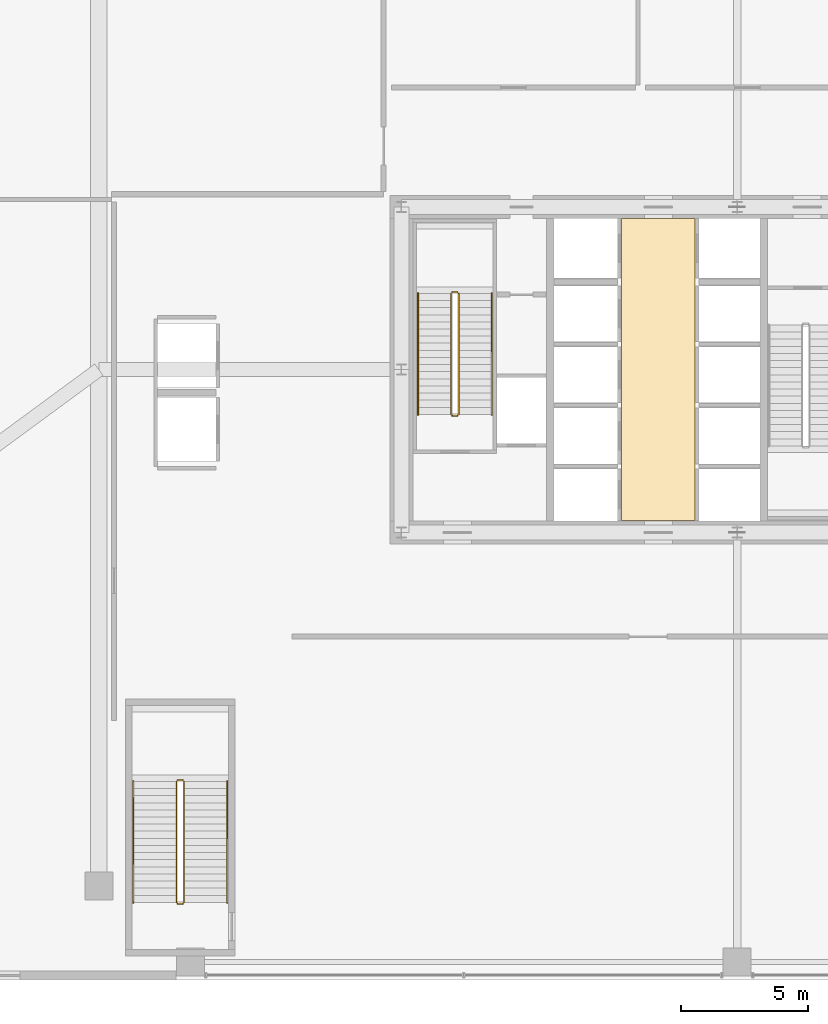
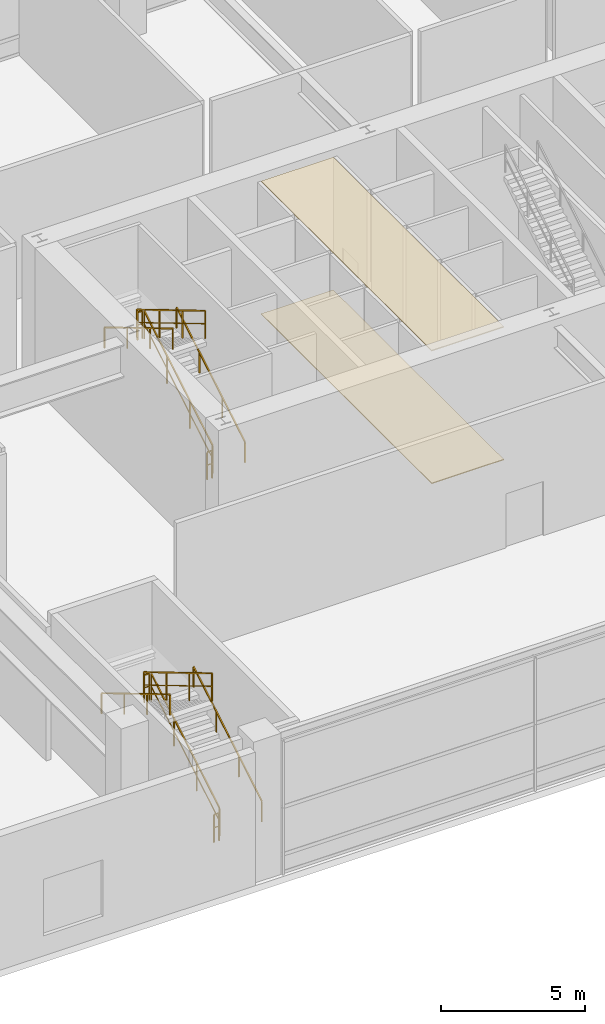
# One storey, part 38 of 39: 12 railings, 2 coverings.
"""IFC4 building model written with IfcOpenShell, lengths in metres."""

from ifc_helpers import new_model, si_unit, direction, frame, origin, origin_2d, place, context, subcontext, project, spatial, polyline, rectangle, outline, extrude, source, transform, mapped, material, layer, layer_set, type_object, element, save


model = new_model("IFC4")

# Units and contexts
model_context = context("Model", 3, precision=1e-05, world=origin(), true_north=direction((0.0, 1.0)))
body_context = subcontext(model_context, "Body", "Model", "MODEL_VIEW")
ifc_project = project(units=[si_unit("LENGTHUNIT", "METRE"), si_unit("AREAUNIT", "SQUARE_METRE"), si_unit("VOLUMEUNIT", "CUBIC_METRE"), si_unit("PLANEANGLEUNIT", "RADIAN"), si_unit("MASSUNIT", "GRAM", prefix="KILO"), si_unit("THERMODYNAMICTEMPERATUREUNIT", "KELVIN"), si_unit("POWERUNIT", "WATT")], contexts=[model_context])

# Site, building, storey
site_placement = place(None, origin())
site = spatial("IfcSite", under=ifc_project, at=site_placement, CompositionType="ELEMENT")
building_placement = place(site_placement, origin())
building = spatial("IfcBuilding", under=site, at=building_placement, Name="Yuzanri Waterfront Tower", CompositionType="ELEMENT")
storey_placement = place(building_placement, frame((0.0, 0.0, 19.800048828125)))
storey = spatial("IfcBuildingStorey", under=building, at=storey_placement, Name="L05", CompositionType="ELEMENT", Elevation=19.800048828125)

# Coverings
ifc_material_1 = material(Name="Anodized Architectural Bronze", Category="metal")
ifc_layer_1 = layer(ifc_material_1, 0.0400390625)
ifc_layer_set_1 = layer_set([ifc_layer_1], Name="Anodized Architectural Bronze")
covering_type_1 = type_object("IfcCoveringType", Name="Anodized Bronze Linear Baffle Lobby Ceiling 40", PredefinedType="CEILING", material=ifc_layer_set_1)
covering_1_placement = place(storey_placement, frame((0.0, 0.0, 5.639892578125)))
element("IfcCovering", 1, at=covering_1_placement, inside=storey, type_object=covering_type_1, Name="L05 Lift Lobby Bronze Baffle Ceiling", PredefinedType="CEILING", context=body_context, shape_type="SweptSolid", body=[
    extrude(outline(polyline([(32.449951171875, 19.860107421875), (35.35009765625, 19.860107421875), (35.35009765625, 31.739990234375), (32.449951171875, 31.739990234375), (32.449951171875, 19.860107421875)])), origin(), (0.0, 0.0, 1.0), 0.0400390625),
])
ifc_material_2 = material(Name="Honed Cream Limestone", Category="masonry")
ifc_layer_2 = layer(ifc_material_2, 0.034912109375)
ifc_layer_set_2 = layer_set([ifc_layer_2], Name="Honed Cream Limestone")
covering_type_2 = type_object("IfcCoveringType", Name="Honed Limestone Lobby Floor Finish 35", PredefinedType="FLOORING", material=ifc_layer_set_2)
covering_2_placement = place(storey_placement, origin())
element("IfcCovering", 2, at=covering_2_placement, inside=storey, type_object=covering_type_2, Name="L05 Lift Lobby Limestone Floor Finish", PredefinedType="FLOORING", context=body_context, shape_type="SweptSolid", body=[
    extrude(outline(polyline([(32.449951171875, 19.860107421875), (35.35009765625, 19.860107421875), (35.35009765625, 31.739990234375), (32.449951171875, 31.739990234375), (32.449951171875, 19.860107421875)])), origin(), (0.0, 0.0, 1.0), 0.034912109375),
])

# Railings
ifc_material_3 = material(Name="Painted Galvanized Fire Steel", Category="steel")
ifc_layer_3 = layer(ifc_material_3, 0.06005859375)
ifc_layer_set_3 = layer_set([ifc_layer_3], Name="Painted Galvanized Fire Steel")
railing_type_1 = type_object("IfcRailingType", Name="Painted Steel Stairwell Guardrail 1120", PredefinedType="GUARDRAIL", material=ifc_layer_set_3)
shared_shape_1 = source(origin(), body_context, "Body", "SweptSolid", [
    extrude(rectangle(XDim=0.050048828125, YDim=0.050048828125, at=origin_2d()), frame((0.0, 0.0, 1.1748046875), z_axis=(-1.0, 0.0, 0.0), x_axis=(0.0, -1.0, 0.0)), (0.0, 0.0, 1.0), 0.199951171875),
    extrude(rectangle(XDim=0.035888671875, YDim=0.030029296875, at=origin_2d()), frame((0.0, 0.0, 0.6240234375), z_axis=(-1.0, 0.0, 0.0), x_axis=(0.0, -1.0, 0.0)), (0.0, 0.0, 1.0), 0.199951171875),
    extrude(rectangle(XDim=0.0458984375, YDim=0.0458984375, at=origin_2d()), origin(), (0.0, 0.0, 1.0), 1.14990234375),
    extrude(rectangle(XDim=0.0458984375, YDim=0.0458984375, at=origin_2d()), frame((-0.199951171875, 0.0, 0.0)), (0.0, 0.0, 1.0), 1.14990234375),
])
for number, where, name in (
    (3, (26.0, 28.85009765625, 3.0), "L05 ST-01 stair guard 2"),
    (4, (26.0, 23.989990234375, 0.0), "L05 ST-01 stair guard 4"),
    (5, (15.199951171875, 9.659912109375, 3.0), "L05 PST-01 stair guard 2"),
    (6, (15.199951171875, 4.800048828125, 0.0), "L05 PST-01 stair guard 4"),
):
    element("IfcRailing", number, at=place(storey_placement, frame(where)), inside=storey, type_object=railing_type_1, Name=name, PredefinedType="GUARDRAIL", context=body_context, shape_type="MappedRepresentation", body=[
        mapped(shared_shape_1, transform((0.0, 0.0, 0.0), scale=1.0)),
    ])
shared_shape_2 = source(origin(), body_context, "Body", "SweptSolid", [
    extrude(rectangle(XDim=0.050048828125, YDim=0.050048828125, at=origin_2d()), frame((0.0, 0.0, 1.1748046875), z_axis=(0.0, 0.859280431707, 0.51150477973), x_axis=(-1.0, 0.0, 0.0)), (0.0, 0.0, 1.0), 5.53955078125),
    extrude(rectangle(XDim=0.035888671875, YDim=0.030029296875, at=origin_2d()), frame((0.0, 0.0, 0.6240234375), z_axis=(0.0, 0.859280431707, 0.51150477973), x_axis=(-1.0, 0.0, 0.0)), (0.0, 0.0, 1.0), 5.53955078125),
    extrude(rectangle(XDim=0.0458984375, YDim=0.0458984375, at=origin_2d()), origin(), (0.0, 0.0, 1.0), 1.14990234375),
    extrude(rectangle(XDim=0.0458984375, YDim=0.0458984375, at=origin_2d()), frame((0.0, 1.586669921875, 0.944580078125)), (0.0, 0.0, 1.0), 1.14990234375),
    extrude(rectangle(XDim=0.0458984375, YDim=0.0458984375, at=origin_2d()), frame((0.0, 3.17333984375, 1.888916015625)), (0.0, 0.0, 1.0), 1.14990234375),
    extrude(rectangle(XDim=0.0458984375, YDim=0.0458984375, at=origin_2d()), frame((0.0, 4.760009765625, 2.83349609375)), (0.0, 0.0, 1.0), 1.14990234375),
])
for number, where, name in (
    (7, (26.050048828125, 24.0400390625, 0.16650390625), "L05 ST-01 stair guard 1"),
    (8, (15.25, 4.85009765625, 0.16650390625), "L05 PST-01 stair guard 1"),
):
    element("IfcRailing", number, at=place(storey_placement, frame(where)), inside=storey, type_object=railing_type_1, Name=name, PredefinedType="GUARDRAIL", context=body_context, shape_type="MappedRepresentation", body=[
        mapped(shared_shape_2, transform((0.0, 0.0, 0.0), scale=1.0)),
    ])
shared_shape_3 = source(origin(), body_context, "Body", "SweptSolid", [
    extrude(rectangle(XDim=0.050048828125, YDim=0.050048828125, at=origin_2d()), frame((0.0, 0.0, 1.1748046875), z_axis=(0.0, -0.859280431707, 0.51150477973), x_axis=(1.0, 0.0, 0.0)), (0.0, 0.0, 1.0), 5.53955078125),
    extrude(rectangle(XDim=0.035888671875, YDim=0.030029296875, at=origin_2d()), frame((0.0, 0.0, 0.6240234375), z_axis=(0.0, -0.859280431707, 0.51150477973), x_axis=(1.0, 0.0, 0.0)), (0.0, 0.0, 1.0), 5.53955078125),
    extrude(rectangle(XDim=0.0458984375, YDim=0.0458984375, at=origin_2d()), origin(), (0.0, 0.0, 1.0), 1.14990234375),
    extrude(rectangle(XDim=0.0458984375, YDim=0.0458984375, at=origin_2d()), frame((0.0, -1.586669921875, 0.944580078125)), (0.0, 0.0, 1.0), 1.14990234375),
    extrude(rectangle(XDim=0.0458984375, YDim=0.0458984375, at=origin_2d()), frame((0.0, -3.17333984375, 1.888916015625)), (0.0, 0.0, 1.0), 1.14990234375),
    extrude(rectangle(XDim=0.0458984375, YDim=0.0458984375, at=origin_2d()), frame((0.0, -4.760009765625, 2.83349609375)), (0.0, 0.0, 1.0), 1.14990234375),
])
for number, where, name in (
    (9, (25.75, 28.800048828125, 3.16650390625), "L05 ST-01 stair guard 3"),
    (10, (14.949951171875, 9.610107421875, 3.16650390625), "L05 PST-01 stair guard 3"),
):
    element("IfcRailing", number, at=place(storey_placement, frame(where)), inside=storey, type_object=railing_type_1, Name=name, PredefinedType="GUARDRAIL", context=body_context, shape_type="MappedRepresentation", body=[
        mapped(shared_shape_3, transform((0.0, 0.0, 0.0), scale=1.0)),
    ])
ifc_material_4 = material(Name="Anodized Architectural Bronze", Category="metal")
ifc_layer_4 = layer(ifc_material_4, 0.050048828125)
ifc_layer_set_4 = layer_set([ifc_layer_4], Name="Anodized Architectural Bronze")
railing_type_2 = type_object("IfcRailingType", Name="Brushed Bronze Stair Pitch Handrail 920", PredefinedType="HANDRAIL", material=ifc_layer_set_4)
shared_shape_4 = source(origin(), body_context, "Body", "SweptSolid", [
    extrude(rectangle(XDim=0.050048828125, YDim=0.050048828125, at=origin_2d()), frame((0.0, 0.0, 0.875), z_axis=(0.0, 0.859280431707, 0.51150477973), x_axis=(-1.0, 0.0, 0.0)), (0.0, 0.0, 1.0), 5.53955078125),
    extrude(rectangle(XDim=0.0458984375, YDim=0.0458984375, at=origin_2d()), origin(), (0.0, 0.0, 1.0), 0.849853515625),
    extrude(rectangle(XDim=0.0458984375, YDim=0.0458984375, at=origin_2d()), frame((0.0, 1.586669921875, 0.944580078125)), (0.0, 0.0, 1.0), 0.849853515625),
    extrude(rectangle(XDim=0.0458984375, YDim=0.0458984375, at=origin_2d()), frame((0.0, 3.17333984375, 1.888916015625)), (0.0, 0.0, 1.0), 0.849853515625),
    extrude(rectangle(XDim=0.0458984375, YDim=0.0458984375, at=origin_2d()), frame((0.0, 4.760009765625, 2.83349609375)), (0.0, 0.0, 1.0), 0.849853515625),
])
for number, where, name in (
    (11, (27.35009765625, 24.0400390625, 0.16650390625), "L05 ST-01 stair handrail 1"),
    (12, (16.949951171875, 4.85009765625, 0.16650390625), "L05 PST-01 stair handrail 1"),
):
    element("IfcRailing", number, at=place(storey_placement, frame(where)), inside=storey, type_object=railing_type_2, Name=name, PredefinedType="HANDRAIL", context=body_context, shape_type="MappedRepresentation", body=[
        mapped(shared_shape_4, transform((0.0, 0.0, 0.0), scale=1.0)),
    ])
shared_shape_5 = source(origin(), body_context, "Body", "SweptSolid", [
    extrude(rectangle(XDim=0.050048828125, YDim=0.050048828125, at=origin_2d()), frame((0.0, 0.0, 0.875), z_axis=(0.0, -0.859280431707, 0.51150477973), x_axis=(1.0, 0.0, 0.0)), (0.0, 0.0, 1.0), 5.53955078125),
    extrude(rectangle(XDim=0.0458984375, YDim=0.0458984375, at=origin_2d()), origin(), (0.0, 0.0, 1.0), 0.849853515625),
    extrude(rectangle(XDim=0.0458984375, YDim=0.0458984375, at=origin_2d()), frame((0.0, -1.586669921875, 0.944580078125)), (0.0, 0.0, 1.0), 0.849853515625),
    extrude(rectangle(XDim=0.0458984375, YDim=0.0458984375, at=origin_2d()), frame((0.0, -3.17333984375, 1.888916015625)), (0.0, 0.0, 1.0), 0.849853515625),
    extrude(rectangle(XDim=0.0458984375, YDim=0.0458984375, at=origin_2d()), frame((0.0, -4.760009765625, 2.83349609375)), (0.0, 0.0, 1.0), 0.849853515625),
])
for number, where, name in (
    (13, (24.449951171875, 28.800048828125, 3.16650390625), "L05 ST-01 stair handrail 2"),
    (14, (13.25, 9.610107421875, 3.16650390625), "L05 PST-01 stair handrail 2"),
):
    element("IfcRailing", number, at=place(storey_placement, frame(where)), inside=storey, type_object=railing_type_2, Name=name, PredefinedType="HANDRAIL", context=body_context, shape_type="MappedRepresentation", body=[
        mapped(shared_shape_5, transform((0.0, 0.0, 0.0), scale=1.0)),
    ])

save(model, "model.ifc")
